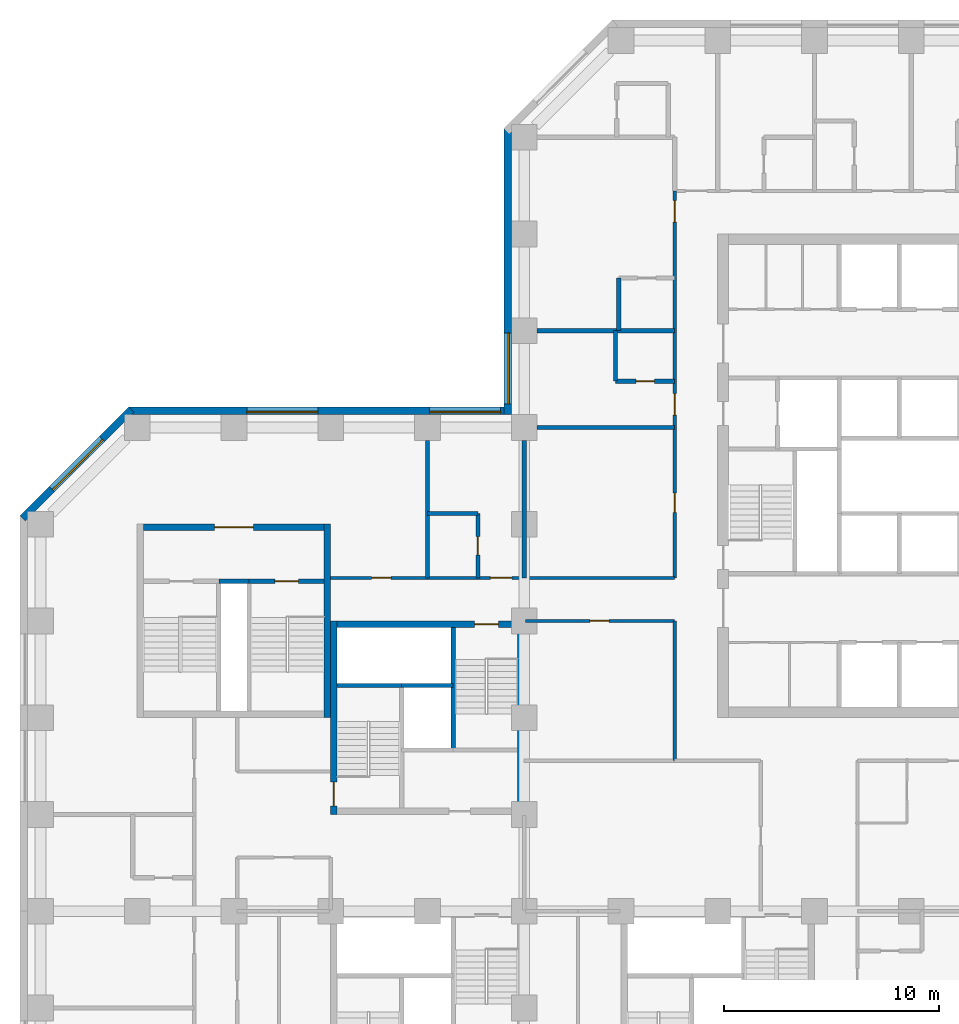
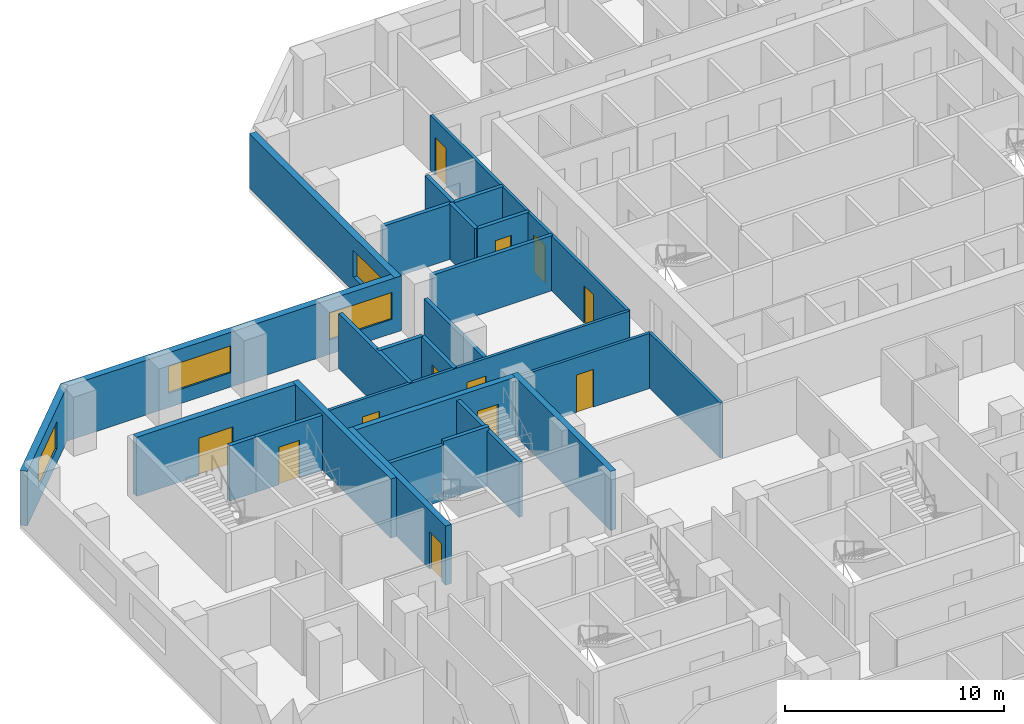
# One storey, part 6 of 12: 26 walls, 12 doors, 4 windows, 16 openings.
"""IFC4 building model written with IfcOpenShell, lengths in metres."""

from ifc_helpers import new_model, si_unit, direction, frame, frame_2d, origin, place, context, subcontext, project, spatial, rectangle, extrude, material, layer, layer_set, constituent, constituent_set, type_object, element, fill, save


model = new_model("IFC4")

# Units and contexts
model_context = context("Model", 3, precision=1e-05, world=origin(), true_north=direction((0.0, 1.0)))
body_context = subcontext(model_context, "Body", "Model", "MODEL_VIEW")
ifc_project = project(units=[si_unit("LENGTHUNIT", "METRE"), si_unit("AREAUNIT", "SQUARE_METRE"), si_unit("VOLUMEUNIT", "CUBIC_METRE"), si_unit("PLANEANGLEUNIT", "RADIAN"), si_unit("MASSUNIT", "GRAM", prefix="KILO")], contexts=[model_context])

# Site, building, storey
site_placement = place(None, origin())
site = spatial("IfcSite", under=ifc_project, at=site_placement, CompositionType="ELEMENT")
building_placement = place(site_placement, origin())
building = spatial("IfcBuilding", under=site, at=building_placement, Name="Quoin Convention Tower", CompositionType="ELEMENT")
storey_placement = place(building_placement, frame((0.0, 0.0, 46.199951171875)))
storey = spatial("IfcBuildingStorey", under=building, at=storey_placement, Name="L11", CompositionType="ELEMENT", Elevation=46.199951171875)

# Wall, opening, window
ifc_material_1 = material(Name="Brick masonry", Category="masonry")
ifc_layer_1 = layer(ifc_material_1, 0.35009765625)
ifc_layer_set_1 = layer_set([ifc_layer_1], Name="Brick masonry")
wall_type_1 = type_object("IfcWallType", Name="Brick facade wall", PredefinedType="STANDARD", material=ifc_layer_set_1)
wall_1_placement = place(storey_placement, frame((35.22509765625, 76.8935546875, 0.0), z_axis=(0.0, 0.0, 1.0), x_axis=(0.0, -1.0, 0.0)))
wall_1 = element("IfcWall", 1, at=wall_1_placement, inside=storey, type_object=wall_type_1, Name="fw-L11-36000_76500", PredefinedType="STANDARD", context=body_context, shape_type="SweptSolid", body=[
    extrude(rectangle(XDim=13.29345703125, YDim=0.35009765625, at=frame_2d((6.646728515625, 0.0))), origin(), (0.0, 0.0, 1.0), 3.054931640625),
])
opening_1_placement = place(wall_1_placement, frame((9.493408203125, 0.0, 0.800048828125)))
opening_1 = element("IfcOpeningElement", 2, at=opening_1_placement, cuts=wall_1, Name="Opening W-01", PredefinedType="OPENING", context=body_context, shape_type="SweptSolid", body=[
    extrude(rectangle(XDim=3.300048828125, YDim=1.5, at=frame_2d((1.64990234375, 0.75))), frame((0.0, 0.18505859375, 0.0), z_axis=(0.0, -1.0, 0.0), x_axis=(1.0, 0.0, 0.0)), (0.0, 0.0, 1.0), 0.3701171875),
])
ifc_material_2 = material(Name="Aluminium", Category="aluminium")
ifc_constituent_1 = constituent(ifc_material_2, Name="Frame")
ifc_material_3 = material(Name="Insulated glass", Category="glass")
ifc_constituent_2 = constituent(ifc_material_3, Name="Glazing")
ifc_constituent_set = constituent_set(constituents=[ifc_constituent_1, ifc_constituent_2], Name="Aluminium")
window_type = type_object("IfcWindowType", Name="Hotel strip window", PartitioningType="DOUBLE_PANEL_VERTICAL", PredefinedType="WINDOW", material=ifc_constituent_set)
window_1_placement = place(opening_1_placement, origin())
window_1 = element("IfcWindow", 3, at=window_1_placement, inside=storey, type_object=window_type, Name="win-L11-35225_65250", OverallHeight=1.5, OverallWidth=3.300048828125, PartitioningType="SINGLE_PANEL", PredefinedType="WINDOW", context=body_context, shape_type="SweptSolid", body=[
    extrude(rectangle(XDim=3.300048828125, YDim=1.5, at=frame_2d((1.64990234375, 0.75))), frame((0.0, 0.0849609375, 0.0), z_axis=(0.0, -1.0, 0.0), x_axis=(1.0, 0.0, 0.0)), (0.0, 0.0, 1.0), 0.06005859375),
])
fill(opening_1, window_1)

# Wall, openings, windows
wall_2_placement = place(storey_placement, frame((35.39990234375, 63.77490234375, 0.0), z_axis=(0.0, 0.0, 1.0), x_axis=(-1.0, 0.0, 0.0)))
wall_2 = element("IfcWall", 4, at=wall_2_placement, inside=storey, type_object=wall_type_1, Name="fw-L11-36000_63000", PredefinedType="STANDARD", context=body_context, shape_type="SweptSolid", body=[
    extrude(rectangle(XDim=17.79345703125, YDim=0.35009765625, at=frame_2d((8.896728515625, 0.0))), origin(), (0.0, 0.0, 1.0), 3.054931640625),
])
opening_2_placement = place(wall_2_placement, frame((0.5, 0.0, 0.800048828125)))
opening_2 = element("IfcOpeningElement", 5, at=opening_2_placement, cuts=wall_2, Name="Opening W-01", PredefinedType="OPENING", context=body_context, shape_type="SweptSolid", body=[
    extrude(rectangle(XDim=3.300048828125, YDim=1.5, at=frame_2d((1.64990234375, 0.75))), frame((0.0, 0.18505859375, 0.0), z_axis=(0.0, -1.0, 0.0), x_axis=(1.0, 0.0, 0.0)), (0.0, 0.0, 1.0), 0.3701171875),
])
opening_3_placement = place(wall_2_placement, frame((9.0, 0.0, 0.800048828125)))
opening_3 = element("IfcOpeningElement", 6, at=opening_3_placement, cuts=wall_2, Name="Opening W-01", PredefinedType="OPENING", context=body_context, shape_type="SweptSolid", body=[
    extrude(rectangle(XDim=3.300048828125, YDim=1.5, at=frame_2d((1.64990234375, 0.75))), frame((0.0, 0.18505859375, 0.0), z_axis=(0.0, -1.0, 0.0), x_axis=(1.0, 0.0, 0.0)), (0.0, 0.0, 1.0), 0.3701171875),
])
window_2_placement = place(opening_2_placement, origin())
window_2 = element("IfcWindow", 7, at=window_2_placement, inside=storey, type_object=window_type, Name="win-L11-33750_63775", OverallHeight=1.5, OverallWidth=3.300048828125, PartitioningType="SINGLE_PANEL", PredefinedType="WINDOW", context=body_context, shape_type="SweptSolid", body=[
    extrude(rectangle(XDim=3.300048828125, YDim=1.5, at=frame_2d((1.64990234375, 0.75))), frame((0.0, 0.0849609375, 0.0), z_axis=(0.0, -1.0, 0.0), x_axis=(1.0, 0.0, 0.0)), (0.0, 0.0, 1.0), 0.06005859375),
])
fill(opening_2, window_2)
window_3_placement = place(opening_3_placement, origin())
window_3 = element("IfcWindow", 8, at=window_3_placement, inside=storey, type_object=window_type, Name="win-L11-24750_63775", OverallHeight=1.5, OverallWidth=3.300048828125, PartitioningType="SINGLE_PANEL", PredefinedType="WINDOW", context=body_context, shape_type="SweptSolid", body=[
    extrude(rectangle(XDim=3.300048828125, YDim=1.5, at=frame_2d((1.64990234375, 0.75))), frame((0.0, 0.0849609375, 0.0), z_axis=(0.0, -1.0, 0.0), x_axis=(1.0, 0.0, 0.0)), (0.0, 0.0, 1.0), 0.06005859375),
])
fill(opening_3, window_3)

# Wall, opening, window
wall_3_placement = place(storey_placement, frame((17.730224609375, 63.826416015625, 0.0), z_axis=(0.0, 0.0, 1.0), x_axis=(-0.707106781187, -0.707106781187, 0.0)))
wall_3 = element("IfcWall", 9, at=wall_3_placement, inside=storey, type_object=wall_type_1, Name="fw-L11-18000_63000", PredefinedType="STANDARD", context=body_context, shape_type="SweptSolid", body=[
    extrude(rectangle(XDim=7.151123046875, YDim=0.35009765625, at=frame_2d((3.57568359375, 0.0))), origin(), (0.0, 0.0, 1.0), 3.054931640625),
])
opening_4_placement = place(wall_3_placement, frame((1.925537109375, 0.0, 0.800048828125)))
opening_4 = element("IfcOpeningElement", 10, at=opening_4_placement, cuts=wall_3, Name="Opening W-01", PredefinedType="OPENING", context=body_context, shape_type="SweptSolid", body=[
    extrude(rectangle(XDim=3.300048828125, YDim=1.5, at=frame_2d((1.64990234375, 0.75))), frame((0.0, 0.18505859375, 0.0), z_axis=(0.0, -1.0, 0.0), x_axis=(1.0, 0.0, 0.0)), (0.0, 0.0, 1.0), 0.3701171875),
])
window_4_placement = place(opening_4_placement, origin())
window_4 = element("IfcWindow", 11, at=window_4_placement, inside=storey, type_object=window_type, Name="win-L11-15202_61298", OverallHeight=1.5, OverallWidth=3.300048828125, PartitioningType="SINGLE_PANEL", PredefinedType="WINDOW", context=body_context, shape_type="SweptSolid", body=[
    extrude(rectangle(XDim=3.300048828125, YDim=1.5, at=frame_2d((1.64990234375, 0.75))), frame((0.0, 0.0849609375, 0.0), z_axis=(0.0, -1.0, 0.0), x_axis=(1.0, 0.0, 0.0)), (0.0, 0.0, 1.0), 0.06005859375),
])
fill(opening_4, window_4)

# Walls
ifc_material_4 = material(Name="Concrete C50", Category="concrete")
ifc_layer_2 = layer(ifc_material_4, 0.199951171875)
ifc_layer_set_2 = layer_set([ifc_layer_2], Name="Concrete C50")
wall_type_2 = type_object("IfcWallType", Name="Core shaft wall", PredefinedType="SOLIDWALL", material=ifc_layer_set_2)
wall_4_placement = place(storey_placement, frame((27.300048828125, 51.0, 0.0), z_axis=(0.0, 0.0, 1.0), x_axis=(1.0, 0.0, 0.0)))
element("IfcWall", 12, at=wall_4_placement, inside=storey, type_object=wall_type_2, Name="cr-P2-L11-h6000_300", PredefinedType="SOLIDWALL", context=body_context, shape_type="SweptSolid", body=[
    extrude(rectangle(XDim=3.0, YDim=0.199951171875, at=frame_2d((1.5, 0.0))), origin(), (0.0, 0.0, 1.0), 3.080078125),
])
wall_5_placement = place(storey_placement, frame((32.699951171875, 48.0, 0.0), z_axis=(0.0, 0.0, 1.0), x_axis=(0.0, 1.0, 0.0)))
element("IfcWall", 13, at=wall_5_placement, inside=storey, type_object=wall_type_2, Name="cr-P2-L11-v5700_3000", PredefinedType="SOLIDWALL", context=body_context, shape_type="SweptSolid", body=[
    extrude(rectangle(XDim=5.699951171875, YDim=0.199951171875, at=frame_2d((2.85009765625, 0.0))), origin(), (0.0, 0.0, 1.0), 3.080078125),
])
wall_6_placement = place(storey_placement, frame((21.800048828125, 55.85009765625, 0.0), z_axis=(0.0, 0.0, 1.0), x_axis=(1.0, 0.0, 0.0)))
element("IfcWall", 14, at=wall_6_placement, inside=storey, type_object=wall_type_2, Name="cr-P6-L11-h6350_3800", PredefinedType="SOLIDWALL", context=body_context, shape_type="SweptSolid", body=[
    extrude(rectangle(XDim=1.39990234375, YDim=0.199951171875, at=frame_2d((0.699951171875, 0.0))), origin(), (0.0, 0.0, 1.0), 3.080078125),
])

# Wall, opening, door
wall_7_placement = place(storey_placement, frame((23.199951171875, 55.85009765625, 0.0), z_axis=(0.0, 0.0, 1.0), x_axis=(1.0, 0.0, 0.0)))
wall_7 = element("IfcWall", 15, at=wall_7_placement, inside=storey, type_object=wall_type_2, Name="cr-P6-L11-h6350_5200", PredefinedType="SOLIDWALL", context=body_context, shape_type="SweptSolid", body=[
    extrude(rectangle(XDim=3.5, YDim=0.199951171875, at=frame_2d((1.75, 0.0))), origin(), (0.0, 0.0, 1.0), 3.080078125),
])
opening_5_placement = place(wall_7_placement, frame((1.199951171875, 0.0, 0.0)))
opening_5 = element("IfcOpeningElement", 16, at=opening_5_placement, cuts=wall_7, Name="Opening SD12", PredefinedType="OPENING", context=body_context, shape_type="SweptSolid", body=[
    extrude(rectangle(XDim=1.10009765625, YDim=2.10009765625, at=frame_2d((0.550048828125, 1.050048828125))), frame((0.0, 0.10986328125, 0.0), z_axis=(0.0, -1.0, 0.0), x_axis=(1.0, 0.0, 0.0)), (0.0, 0.0, 1.0), 0.219970703125),
])
ifc_material_5 = material(Name="Steel door leaf", Category="steel")
door_type_1 = type_object("IfcDoorType", Name="Stair door 1100 x 2100", OperationType="SINGLE_SWING_RIGHT", PredefinedType="DOOR", material=ifc_material_5)
door_1_placement = place(opening_5_placement, origin())
door_1 = element("IfcDoor", 17, at=door_1_placement, inside=storey, type_object=door_type_1, Name="cd-P6-L11-SB-R2-SD12", OperationType="SINGLE_SWING_RIGHT", OverallHeight=2.10009765625, OverallWidth=1.10009765625, PredefinedType="DOOR", context=body_context, shape_type="SweptSolid", body=[
    extrude(rectangle(XDim=1.10009765625, YDim=2.10009765625, at=frame_2d((0.550048828125, 1.050048828125))), frame((0.0, 0.02490234375, 0.0), z_axis=(0.0, -1.0, 0.0), x_axis=(1.0, 0.0, 0.0)), (0.0, 0.0, 1.0), 0.050048828125),
])
fill(opening_5, door_1)

# Wall
ifc_layer_3 = layer(ifc_material_4, 0.199951171875)
ifc_layer_set_3 = layer_set([ifc_layer_3], Name="Concrete C50")
wall_type_3 = type_object("IfcWallType", Name="Core shaft wall to the floor level over", PredefinedType="SOLIDWALL", material=ifc_layer_set_3)
wall_8_placement = place(storey_placement, frame((30.300048828125, 51.0, 0.0), z_axis=(0.0, 0.0, 1.0), x_axis=(1.0, 0.0, 0.0)))
element("IfcWall", 18, at=wall_8_placement, inside=storey, type_object=wall_type_3, Name="cr-P2-L11-h6000_3300", PredefinedType="SOLIDWALL", context=body_context, shape_type="SweptSolid", body=[
    extrude(rectangle(XDim=2.39990234375, YDim=0.199951171875, at=frame_2d((1.199951171875, 0.0))), origin(), (0.0, 0.0, 1.0), 3.300048828125),
])

# Wall, opening, door
ifc_material_6 = material(Name="Concrete C80", Category="concrete")
ifc_layer_4 = layer(ifc_material_6, 0.300048828125)
ifc_layer_set_4 = layer_set([ifc_layer_4], Name="Concrete C80")
wall_type_4 = type_object("IfcWallType", Name="RC CORE WALL 300 C80", PredefinedType="SHEAR", material=ifc_layer_set_4)
wall_9_placement = place(storey_placement, frame((27.300048828125, 53.85009765625, 0.0), z_axis=(0.0, 0.0, 1.0), x_axis=(1.0, 0.0, 0.0)))
wall_9 = element("IfcWall", 19, at=wall_9_placement, inside=storey, type_object=wall_type_4, Name="cwl-P2-L11-N", PredefinedType="SHEAR", context=body_context, shape_type="SweptSolid", body=[
    extrude(rectangle(XDim=8.39990234375, YDim=0.300048828125, at=frame_2d((4.199951171875, 0.0))), origin(), (0.0, 0.0, 1.0), 3.300048828125),
])
opening_6_placement = place(wall_9_placement, frame((6.39990234375, 0.0, 0.0)))
opening_6 = element("IfcOpeningElement", 20, at=opening_6_placement, cuts=wall_9, Name="Opening SD4", PredefinedType="OPENING", context=body_context, shape_type="SweptSolid", body=[
    extrude(rectangle(XDim=1.10009765625, YDim=2.10009765625, at=frame_2d((0.550048828125, 1.050048828125))), frame((0.0, 0.159912109375, 0.0), z_axis=(0.0, -1.0, 0.0), x_axis=(1.0, 0.0, 0.0)), (0.0, 0.0, 1.0), 0.320068359375),
])
door_2_placement = place(opening_6_placement, frame((1.10009765625, 0.0, 0.0), z_axis=(0.0, 0.0, 1.0), x_axis=(-1.0, 0.0, 0.0)))
door_2 = element("IfcDoor", 21, at=door_2_placement, inside=storey, type_object=door_type_1, Name="cd-P2-L11-SB-N", OperationType="SINGLE_SWING_LEFT", OverallHeight=2.10009765625, OverallWidth=1.10009765625, PredefinedType="DOOR", context=body_context, shape_type="SweptSolid", body=[
    extrude(rectangle(XDim=1.10009765625, YDim=2.10009765625, at=frame_2d((0.550048828125, 1.050048828125))), frame((0.0, 0.02490234375, 0.0), z_axis=(0.0, -1.0, 0.0), x_axis=(1.0, 0.0, 0.0)), (0.0, 0.0, 1.0), 0.050048828125),
])
fill(opening_6, door_2)

wall_10_placement = place(storey_placement, frame((27.14990234375, 45.0, 0.0), z_axis=(0.0, 0.0, 1.0), x_axis=(0.0, 1.0, 0.0)))
wall_10 = element("IfcWall", 22, at=wall_10_placement, inside=storey, type_object=wall_type_4, Name="cwl-P2-L11-W", PredefinedType="SHEAR", context=body_context, shape_type="SweptSolid", body=[
    extrude(rectangle(XDim=9.0, YDim=0.300048828125, at=frame_2d((4.5, 0.0))), origin(), (0.0, 0.0, 1.0), 3.300048828125),
])
opening_7_placement = place(wall_10_placement, frame((0.39990234375, 0.0, 0.0)))
opening_7 = element("IfcOpeningElement", 23, at=opening_7_placement, cuts=wall_10, Name="Opening SD3", PredefinedType="OPENING", context=body_context, shape_type="SweptSolid", body=[
    extrude(rectangle(XDim=1.10009765625, YDim=2.10009765625, at=frame_2d((0.550048828125, 1.050048828125))), frame((0.0, 0.159912109375, 0.0), z_axis=(0.0, -1.0, 0.0), x_axis=(1.0, 0.0, 0.0)), (0.0, 0.0, 1.0), 0.320068359375),
])
door_3_placement = place(opening_7_placement, frame((1.10009765625, 0.0, 0.0), z_axis=(0.0, 0.0, 1.0), x_axis=(-1.0, 0.0, 0.0)))
door_3 = element("IfcDoor", 24, at=door_3_placement, inside=storey, type_object=door_type_1, Name="cd-P2-L11-SA-W", OperationType="SINGLE_SWING_RIGHT", OverallHeight=2.10009765625, OverallWidth=1.10009765625, PredefinedType="DOOR", context=body_context, shape_type="SweptSolid", body=[
    extrude(rectangle(XDim=1.10009765625, YDim=2.10009765625, at=frame_2d((0.550048828125, 1.050048828125))), frame((0.0, 0.02490234375, 0.0), z_axis=(0.0, -1.0, 0.0), x_axis=(1.0, 0.0, 0.0)), (0.0, 0.0, 1.0), 0.050048828125),
])
fill(opening_7, door_3)

# Wall
wall_11_placement = place(storey_placement, frame((35.85009765625, 45.0, 0.0), z_axis=(0.0, 0.0, 1.0), x_axis=(0.0, 1.0, 0.0)))
element("IfcWall", 25, at=wall_11_placement, inside=storey, type_object=wall_type_4, Name="cwl-P2-L11-E", PredefinedType="SHEAR", context=body_context, shape_type="SweptSolid", body=[
    extrude(rectangle(XDim=9.0, YDim=0.300048828125, at=frame_2d((4.5, 0.0))), origin(), (0.0, 0.0, 1.0), 3.300048828125),
])

# Wall, opening, door
wall_12_placement = place(storey_placement, frame((18.300048828125, 58.35009765625, 0.0), z_axis=(0.0, 0.0, 1.0), x_axis=(1.0, 0.0, 0.0)))
wall_12 = element("IfcWall", 26, at=wall_12_placement, inside=storey, type_object=wall_type_4, Name="cwl-P6-L11-N", PredefinedType="SHEAR", context=body_context, shape_type="SweptSolid", body=[
    extrude(rectangle(XDim=8.39990234375, YDim=0.300048828125, at=frame_2d((4.199951171875, 0.0))), origin(), (0.0, 0.0, 1.0), 3.300048828125),
])
opening_8_placement = place(wall_12_placement, frame((3.300048828125, 0.0, 0.0)))
opening_8 = element("IfcOpeningElement", 27, at=opening_8_placement, cuts=wall_12, Name="Opening DCV4-46", PredefinedType="OPENING", context=body_context, shape_type="SweptSolid", body=[
    extrude(rectangle(XDim=1.800048828125, YDim=2.10009765625, at=frame_2d((0.89990234375, 1.050048828125))), frame((0.0, 0.159912109375, 0.0), z_axis=(0.0, -1.0, 0.0), x_axis=(1.0, 0.0, 0.0)), (0.0, 0.0, 1.0), 0.320068359375),
])
door_type_2 = type_object("IfcDoorType", Name="Goods lobby door 1800 x 2100", OperationType="SINGLE_SWING_LEFT", PredefinedType="DOOR", material=ifc_material_5)
door_4_placement = place(opening_8_placement, origin())
door_4 = element("IfcDoor", 28, at=door_4_placement, inside=storey, type_object=door_type_2, Name="cd-P6-L11-R2-N", OperationType="SINGLE_SWING_RIGHT", OverallHeight=2.10009765625, OverallWidth=1.800048828125, PredefinedType="DOOR", context=body_context, shape_type="SweptSolid", body=[
    extrude(rectangle(XDim=1.800048828125, YDim=2.10009765625, at=frame_2d((0.89990234375, 1.050048828125))), frame((0.0, 0.02490234375, 0.0), z_axis=(0.0, -1.0, 0.0), x_axis=(1.0, 0.0, 0.0)), (0.0, 0.0, 1.0), 0.050048828125),
])
fill(opening_8, door_4)

# Walls
wall_13_placement = place(storey_placement, frame((26.85009765625, 49.5, 0.0), z_axis=(0.0, 0.0, 1.0), x_axis=(0.0, 1.0, 0.0)))
element("IfcWall", 29, at=wall_13_placement, inside=storey, type_object=wall_type_4, Name="cwl-P6-L11-E", PredefinedType="SHEAR", context=body_context, shape_type="SweptSolid", body=[
    extrude(rectangle(XDim=9.0, YDim=0.300048828125, at=frame_2d((4.5, 0.0))), origin(), (0.0, 0.0, 1.0), 3.300048828125),
])
ifc_layer_5 = layer(ifc_material_4, 0.199951171875)
ifc_layer_set_5 = layer_set([ifc_layer_5], Name="Concrete C50")
wall_type_5 = type_object("IfcWallType", Name="RC party wall", PredefinedType="SOLIDWALL", material=ifc_layer_set_5)
wall_14_placement = place(storey_placement, frame((31.5, 56.0, 0.0), z_axis=(0.0, 0.0, 1.0), x_axis=(0.0, 1.0, 0.0)))
element("IfcWall", 30, at=wall_14_placement, inside=storey, type_object=wall_type_5, Name="pw-L11-094", PredefinedType="SOLIDWALL", context=body_context, shape_type="SweptSolid", body=[
    extrude(rectangle(XDim=6.39990234375, YDim=0.199951171875, at=frame_2d((3.199951171875, 0.0))), origin(), (0.0, 0.0, 1.0), 3.080078125),
])

# Wall, opening, door
wall_15_placement = place(storey_placement, frame((33.85009765625, 56.0, 0.0), z_axis=(0.0, 0.0, 1.0), x_axis=(0.0, 1.0, 0.0)))
wall_15 = element("IfcWall", 31, at=wall_15_placement, inside=storey, type_object=wall_type_5, Name="pw-L11-095", PredefinedType="SOLIDWALL", context=body_context, shape_type="SweptSolid", body=[
    extrude(rectangle(XDim=3.0, YDim=0.199951171875, at=frame_2d((1.5, 0.0))), origin(), (0.0, 0.0, 1.0), 3.080078125),
])
opening_9_placement = place(wall_15_placement, frame((1.074951171875, 0.0, 0.0)))
opening_9 = element("IfcOpeningElement", 32, at=opening_9_placement, cuts=wall_15, Name="Opening DHOTEL-H-59", PredefinedType="OPENING", context=body_context, shape_type="SweptSolid", body=[
    extrude(rectangle(XDim=0.85009765625, YDim=2.10009765625, at=frame_2d((0.425048828125, 1.050048828125))), frame((0.0, 0.10986328125, 0.0), z_axis=(0.0, -1.0, 0.0), x_axis=(1.0, 0.0, 0.0)), (0.0, 0.0, 1.0), 0.219970703125),
])
door_type_3 = type_object("IfcDoorType", Name="Bathroom door", OperationType="SINGLE_SWING_LEFT", PredefinedType="DOOR", material=ifc_material_5)
door_5_placement = place(opening_9_placement, frame((0.85009765625, 0.0, 0.0), z_axis=(0.0, 0.0, 1.0), x_axis=(-1.0, 0.0, 0.0)))
door_5 = element("IfcDoor", 33, at=door_5_placement, inside=storey, type_object=door_type_3, Name="dr-L11-026", OperationType="SINGLE_SWING_RIGHT", OverallHeight=2.10009765625, OverallWidth=0.85009765625, PredefinedType="DOOR", context=body_context, shape_type="SweptSolid", body=[
    extrude(rectangle(XDim=0.85009765625, YDim=2.10009765625, at=frame_2d((0.425048828125, 1.050048828125))), frame((0.0, 0.02490234375, 0.0), z_axis=(0.0, -1.0, 0.0), x_axis=(1.0, 0.0, 0.0)), (0.0, 0.0, 1.0), 0.050048828125),
])
fill(opening_9, door_5)

# Wall
wall_16_placement = place(storey_placement, frame((31.5, 59.0, 0.0), z_axis=(0.0, 0.0, 1.0), x_axis=(1.0, 0.0, 0.0)))
element("IfcWall", 34, at=wall_16_placement, inside=storey, type_object=wall_type_5, Name="pw-L11-103", PredefinedType="SOLIDWALL", context=body_context, shape_type="SweptSolid", body=[
    extrude(rectangle(XDim=2.35009765625, YDim=0.199951171875, at=frame_2d((1.175048828125, 0.0))), origin(), (0.0, 0.0, 1.0), 3.080078125),
])

# Wall, opening, door
wall_17_placement = place(storey_placement, frame((40.25, 65.14990234375, 0.0), z_axis=(0.0, 0.0, 1.0), x_axis=(1.0, 0.0, 0.0)))
wall_17 = element("IfcWall", 35, at=wall_17_placement, inside=storey, type_object=wall_type_5, Name="pw-L11-109", PredefinedType="SOLIDWALL", context=body_context, shape_type="SweptSolid", body=[
    extrude(rectangle(XDim=2.75, YDim=0.199951171875, at=frame_2d((1.375, 0.0))), origin(), (0.0, 0.0, 1.0), 3.080078125),
])
opening_10_placement = place(wall_17_placement, frame((0.949951171875, 0.0, 0.0)))
opening_10 = element("IfcOpeningElement", 36, at=opening_10_placement, cuts=wall_17, Name="Opening DHOTEL-H-62", PredefinedType="OPENING", context=body_context, shape_type="SweptSolid", body=[
    extrude(rectangle(XDim=0.85009765625, YDim=2.10009765625, at=frame_2d((0.425048828125, 1.050048828125))), frame((0.0, 0.10986328125, 0.0), z_axis=(0.0, -1.0, 0.0), x_axis=(1.0, 0.0, 0.0)), (0.0, 0.0, 1.0), 0.219970703125),
])
door_6_placement = place(opening_10_placement, frame((0.85009765625, 0.0, 0.0), z_axis=(0.0, 0.0, 1.0), x_axis=(-1.0, 0.0, 0.0)))
door_6 = element("IfcDoor", 37, at=door_6_placement, inside=storey, type_object=door_type_3, Name="dr-L11-030", OperationType="SINGLE_SWING_LEFT", OverallHeight=2.10009765625, OverallWidth=0.85009765625, PredefinedType="DOOR", context=body_context, shape_type="SweptSolid", body=[
    extrude(rectangle(XDim=0.85009765625, YDim=2.10009765625, at=frame_2d((0.425048828125, 1.050048828125))), frame((0.0, 0.02490234375, 0.0), z_axis=(0.0, -1.0, 0.0), x_axis=(1.0, 0.0, 0.0)), (0.0, 0.0, 1.0), 0.050048828125),
])
fill(opening_10, door_6)

# Walls
wall_18_placement = place(storey_placement, frame((40.25, 65.14990234375, 0.0), z_axis=(0.0, 0.0, 1.0), x_axis=(0.0, 1.0, 0.0)))
element("IfcWall", 38, at=wall_18_placement, inside=storey, type_object=wall_type_5, Name="pw-L11-110", PredefinedType="SOLIDWALL", context=body_context, shape_type="SweptSolid", body=[
    extrude(rectangle(XDim=2.35009765625, YDim=0.199951171875, at=frame_2d((1.175048828125, 0.0))), origin(), (0.0, 0.0, 1.0), 3.080078125),
])
wall_19_placement = place(storey_placement, frame((36.60009765625, 67.5, 0.0), z_axis=(0.0, 0.0, 1.0), x_axis=(1.0, 0.0, 0.0)))
element("IfcWall", 39, at=wall_19_placement, inside=storey, type_object=wall_type_5, Name="pw-L11-111", PredefinedType="SOLIDWALL", context=body_context, shape_type="SweptSolid", body=[
    extrude(rectangle(XDim=6.39990234375, YDim=0.199951171875, at=frame_2d((3.199951171875, 0.0))), origin(), (0.0, 0.0, 1.0), 3.080078125),
])
wall_20_placement = place(storey_placement, frame((40.39990234375, 67.5, 0.0), z_axis=(0.0, 0.0, 1.0), x_axis=(0.0, 1.0, 0.0)))
element("IfcWall", 40, at=wall_20_placement, inside=storey, type_object=wall_type_5, Name="pw-L11-112", PredefinedType="SOLIDWALL", context=body_context, shape_type="SweptSolid", body=[
    extrude(rectangle(XDim=2.449951171875, YDim=0.199951171875, at=frame_2d((1.22509765625, 0.0))), origin(), (0.0, 0.0, 1.0), 3.080078125),
])
ifc_material_7 = material(Name="Plasterboard")
ifc_layer_6 = layer(ifc_material_7, 0.012451171875, Name="Finish")
ifc_material_8 = material(Name="Steel stud framing", Category="steel")
ifc_layer_7 = layer(ifc_material_8, 0.125, Name="Structure")
ifc_layer_8 = layer(ifc_material_7, 0.012451171875, Name="Finish")
ifc_layer_set_6 = layer_set([ifc_layer_6, ifc_layer_7, ifc_layer_8], Name="Steel stud framing")
wall_type_6 = type_object("IfcWallType", Name="corridor partition", PredefinedType="PARTITIONING", material=ifc_layer_set_6)
wall_21_placement = place(storey_placement, frame((43.0, 47.5, 0.0), z_axis=(0.0, 0.0, 1.0), x_axis=(0.0, 1.0, 0.0)))
element("IfcWall", 41, at=wall_21_placement, inside=storey, type_object=wall_type_6, Name="pw-L11-027", PredefinedType="PARTITIONING", context=body_context, shape_type="SweptSolid", body=[
    extrude(rectangle(XDim=6.5, YDim=0.14990234375, at=frame_2d((3.25, 0.0))), origin(), (0.0, 0.0, 1.0), 3.080078125),
])

# Wall, opening, door
wall_22_placement = place(storey_placement, frame((36.050048828125, 54.0, 0.0), z_axis=(0.0, 0.0, 1.0), x_axis=(1.0, 0.0, 0.0)))
wall_22 = element("IfcWall", 42, at=wall_22_placement, inside=storey, type_object=wall_type_6, Name="pw-L11-031", PredefinedType="PARTITIONING", context=body_context, shape_type="SweptSolid", body=[
    extrude(rectangle(XDim=6.949951171875, YDim=0.14990234375, at=frame_2d((3.47509765625, 0.0))), origin(), (0.0, 0.0, 1.0), 3.080078125),
])
opening_11_placement = place(wall_22_placement, frame((3.0, 0.0, 0.0)))
opening_11 = element("IfcOpeningElement", 43, at=opening_11_placement, cuts=wall_22, Name="Opening DHOTEL-H-30", PredefinedType="OPENING", context=body_context, shape_type="SweptSolid", body=[
    extrude(rectangle(XDim=0.89990234375, YDim=2.10009765625, at=frame_2d((0.449951171875, 1.050048828125))), frame((0.0, 0.0849609375, 0.0), z_axis=(0.0, -1.0, 0.0), x_axis=(1.0, 0.0, 0.0)), (0.0, 0.0, 1.0), 0.169921875),
])
door_type_4 = type_object("IfcDoorType", Name="Single room door", OperationType="SINGLE_SWING_RIGHT", PredefinedType="DOOR", material=ifc_material_5)
door_7_placement = place(opening_11_placement, frame((0.89990234375, 0.0, 0.0), z_axis=(0.0, 0.0, 1.0), x_axis=(-1.0, 0.0, 0.0)))
door_7 = element("IfcDoor", 44, at=door_7_placement, inside=storey, type_object=door_type_4, Name="dr-L11-076", OperationType="SINGLE_SWING_LEFT", OverallHeight=2.10009765625, OverallWidth=0.89990234375, PredefinedType="DOOR", context=body_context, shape_type="SweptSolid", body=[
    extrude(rectangle(XDim=0.89990234375, YDim=2.10009765625, at=frame_2d((0.449951171875, 1.050048828125))), frame((0.0, 0.02490234375, 0.0), z_axis=(0.0, -1.0, 0.0), x_axis=(1.0, 0.0, 0.0)), (0.0, 0.0, 1.0), 0.050048828125),
])
fill(opening_11, door_7)

# Wall, openings, doors
wall_23_placement = place(storey_placement, frame((27.0, 56.0, 0.0), z_axis=(0.0, 0.0, 1.0), x_axis=(1.0, 0.0, 0.0)))
wall_23 = element("IfcWall", 45, at=wall_23_placement, inside=storey, type_object=wall_type_6, Name="pw-L11-032", PredefinedType="PARTITIONING", context=body_context, shape_type="SweptSolid", body=[
    extrude(rectangle(XDim=16.0, YDim=0.14990234375, at=frame_2d((8.0, 0.0))), origin(), (0.0, 0.0, 1.0), 3.080078125),
])
opening_12_placement = place(wall_23_placement, frame((7.425048828125, 0.0, 0.0)))
opening_12 = element("IfcOpeningElement", 46, at=opening_12_placement, cuts=wall_23, Name="Opening DHOTEL-H-32", PredefinedType="OPENING", context=body_context, shape_type="SweptSolid", body=[
    extrude(rectangle(XDim=1.0, YDim=2.10009765625, at=frame_2d((0.5, 1.050048828125))), frame((0.0, 0.0849609375, 0.0), z_axis=(0.0, -1.0, 0.0), x_axis=(1.0, 0.0, 0.0)), (0.0, 0.0, 1.0), 0.169921875),
])
opening_13_placement = place(wall_23_placement, frame((1.909912109375, 0.0, 0.0)))
opening_13 = element("IfcOpeningElement", 47, at=opening_13_placement, cuts=wall_23, Name="Opening DHOTEL-H-31", PredefinedType="OPENING", context=body_context, shape_type="SweptSolid", body=[
    extrude(rectangle(XDim=0.89990234375, YDim=2.10009765625, at=frame_2d((0.449951171875, 1.050048828125))), frame((0.0, 0.0849609375, 0.0), z_axis=(0.0, -1.0, 0.0), x_axis=(1.0, 0.0, 0.0)), (0.0, 0.0, 1.0), 0.169921875),
])
door_type_5 = type_object("IfcDoorType", Name="Hotel room door", OperationType="SINGLE_SWING_LEFT", PredefinedType="DOOR", material=ifc_material_5)
door_8_placement = place(opening_12_placement, origin())
door_8 = element("IfcDoor", 48, at=door_8_placement, inside=storey, type_object=door_type_5, Name="dr-L11-025", OperationType="SINGLE_SWING_RIGHT", OverallHeight=2.10009765625, OverallWidth=1.0, PredefinedType="DOOR", context=body_context, shape_type="SweptSolid", body=[
    extrude(rectangle(XDim=1.0, YDim=2.10009765625, at=frame_2d((0.5, 1.050048828125))), frame((0.0, 0.02490234375, 0.0), z_axis=(0.0, -1.0, 0.0), x_axis=(1.0, 0.0, 0.0)), (0.0, 0.0, 1.0), 0.050048828125),
])
fill(opening_12, door_8)
door_9_placement = place(opening_13_placement, origin())
door_9 = element("IfcDoor", 49, at=door_9_placement, inside=storey, type_object=door_type_4, Name="dr-L11-w02", OperationType="SINGLE_SWING_RIGHT", OverallHeight=2.10009765625, OverallWidth=0.89990234375, PredefinedType="DOOR", context=body_context, shape_type="SweptSolid", body=[
    extrude(rectangle(XDim=0.89990234375, YDim=2.10009765625, at=frame_2d((0.449951171875, 1.050048828125))), frame((0.0, 0.02490234375, 0.0), z_axis=(0.0, -1.0, 0.0), x_axis=(1.0, 0.0, 0.0)), (0.0, 0.0, 1.0), 0.050048828125),
])
fill(opening_13, door_9)

wall_24_placement = place(storey_placement, frame((43.0, 56.0, 0.0), z_axis=(0.0, 0.0, 1.0), x_axis=(0.0, 1.0, 0.0)))
wall_24 = element("IfcWall", 50, at=wall_24_placement, inside=storey, type_object=wall_type_6, Name="pw-L11-033", PredefinedType="PARTITIONING", context=body_context, shape_type="SweptSolid", body=[
    extrude(rectangle(XDim=18.0, YDim=0.14990234375, at=frame_2d((9.0, 0.0))), origin(), (0.0, 0.0, 1.0), 3.080078125),
])
opening_14_placement = place(wall_24_placement, frame((7.574951171875, 0.0, 0.0)))
opening_14 = element("IfcOpeningElement", 51, at=opening_14_placement, cuts=wall_24, Name="Opening DHOTEL-H-34", PredefinedType="OPENING", context=body_context, shape_type="SweptSolid", body=[
    extrude(rectangle(XDim=1.0, YDim=2.10009765625, at=frame_2d((0.5, 1.050048828125))), frame((0.0, 0.0849609375, 0.0), z_axis=(0.0, -1.0, 0.0), x_axis=(1.0, 0.0, 0.0)), (0.0, 0.0, 1.0), 0.169921875),
])
opening_15_placement = place(wall_24_placement, frame((16.552978515625, 0.0, 0.0)))
opening_15 = element("IfcOpeningElement", 52, at=opening_15_placement, cuts=wall_24, Name="Opening DHOTEL-H-35", PredefinedType="OPENING", context=body_context, shape_type="SweptSolid", body=[
    extrude(rectangle(XDim=1.0, YDim=2.10009765625, at=frame_2d((0.5, 1.050048828125))), frame((0.0, 0.0849609375, 0.0), z_axis=(0.0, -1.0, 0.0), x_axis=(1.0, 0.0, 0.0)), (0.0, 0.0, 1.0), 0.169921875),
])
opening_16_placement = place(wall_24_placement, frame((3.050048828125, 0.0, 0.0)))
opening_16 = element("IfcOpeningElement", 53, at=opening_16_placement, cuts=wall_24, Name="Opening DHOTEL-H-33", PredefinedType="OPENING", context=body_context, shape_type="SweptSolid", body=[
    extrude(rectangle(XDim=0.89990234375, YDim=2.10009765625, at=frame_2d((0.449951171875, 1.050048828125))), frame((0.0, 0.0849609375, 0.0), z_axis=(0.0, -1.0, 0.0), x_axis=(1.0, 0.0, 0.0)), (0.0, 0.0, 1.0), 0.169921875),
])
door_10_placement = place(opening_14_placement, origin())
door_10 = element("IfcDoor", 54, at=door_10_placement, inside=storey, type_object=door_type_5, Name="dr-L11-029", OperationType="SINGLE_SWING_RIGHT", OverallHeight=2.10009765625, OverallWidth=1.0, PredefinedType="DOOR", context=body_context, shape_type="SweptSolid", body=[
    extrude(rectangle(XDim=1.0, YDim=2.10009765625, at=frame_2d((0.5, 1.050048828125))), frame((0.0, 0.02490234375, 0.0), z_axis=(0.0, -1.0, 0.0), x_axis=(1.0, 0.0, 0.0)), (0.0, 0.0, 1.0), 0.050048828125),
])
fill(opening_14, door_10)
door_11_placement = place(opening_15_placement, origin())
door_11 = element("IfcDoor", 55, at=door_11_placement, inside=storey, type_object=door_type_5, Name="dr-L11-031", OperationType="SINGLE_SWING_RIGHT", OverallHeight=2.10009765625, OverallWidth=1.0, PredefinedType="DOOR", context=body_context, shape_type="SweptSolid", body=[
    extrude(rectangle(XDim=1.0, YDim=2.10009765625, at=frame_2d((0.5, 1.050048828125))), frame((0.0, 0.02490234375, 0.0), z_axis=(0.0, -1.0, 0.0), x_axis=(1.0, 0.0, 0.0)), (0.0, 0.0, 1.0), 0.050048828125),
])
fill(opening_15, door_11)
door_12_placement = place(opening_16_placement, origin())
door_12 = element("IfcDoor", 56, at=door_12_placement, inside=storey, type_object=door_type_4, Name="dr-L11-077", OperationType="SINGLE_SWING_RIGHT", OverallHeight=2.10009765625, OverallWidth=0.89990234375, PredefinedType="DOOR", context=body_context, shape_type="SweptSolid", body=[
    extrude(rectangle(XDim=0.89990234375, YDim=2.10009765625, at=frame_2d((0.449951171875, 1.050048828125))), frame((0.0, 0.02490234375, 0.0), z_axis=(0.0, -1.0, 0.0), x_axis=(1.0, 0.0, 0.0)), (0.0, 0.0, 1.0), 0.050048828125),
])
fill(opening_16, door_12)

# Walls
ifc_layer_9 = layer(ifc_material_7, 0.012451171875, Name="Finish")
ifc_layer_10 = layer(ifc_material_8, 0.175048828125, Name="Structure")
ifc_layer_11 = layer(ifc_material_7, 0.012451171875, Name="Finish")
ifc_layer_set_7 = layer_set([ifc_layer_9, ifc_layer_10, ifc_layer_11], Name="Steel stud framing")
wall_type_7 = type_object("IfcWallType", Name="guest room compartment wall", PredefinedType="PARTITIONING", material=ifc_layer_set_7)
wall_25_placement = place(storey_placement, frame((36.60009765625, 63.0, 0.0), z_axis=(0.0, 0.0, 1.0), x_axis=(1.0, 0.0, 0.0)))
element("IfcWall", 57, at=wall_25_placement, inside=storey, type_object=wall_type_7, Name="pw-L11-002", PredefinedType="PARTITIONING", context=body_context, shape_type="SweptSolid", body=[
    extrude(rectangle(XDim=6.39990234375, YDim=0.199951171875, at=frame_2d((3.199951171875, 0.0))), origin(), (0.0, 0.0, 1.0), 3.080078125),
])
ifc_layer_12 = layer(ifc_material_7, 0.012451171875, Name="Finish")
ifc_layer_13 = layer(ifc_material_8, 0.175048828125, Name="Structure")
ifc_layer_14 = layer(ifc_material_7, 0.012451171875, Name="Finish")
ifc_layer_set_8 = layer_set([ifc_layer_12, ifc_layer_13, ifc_layer_14], Name="Steel stud framing")
wall_type_8 = type_object("IfcWallType", Name="guest room compartment wall under beam 750", PredefinedType="PARTITIONING", material=ifc_layer_set_8)
wall_26_placement = place(storey_placement, frame((36.0, 56.0, 0.0), z_axis=(0.0, 0.0, 1.0), x_axis=(0.0, 1.0, 0.0)))
element("IfcWall", 58, at=wall_26_placement, inside=storey, type_object=wall_type_8, Name="pw-L11-001", PredefinedType="PARTITIONING", context=body_context, shape_type="SweptSolid", body=[
    extrude(rectangle(XDim=6.39990234375, YDim=0.199951171875, at=frame_2d((3.199951171875, 0.0))), origin(), (0.0, 0.0, 1.0), 2.330078125),
])

save(model, "model.ifc")
